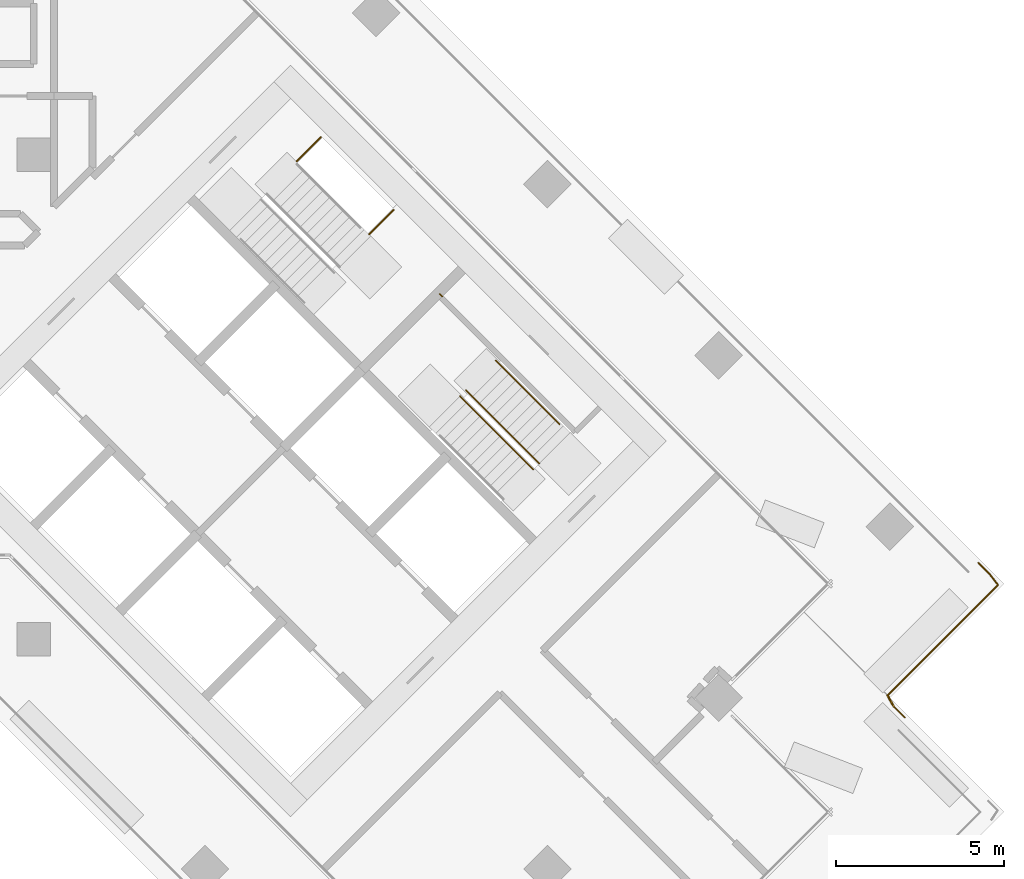
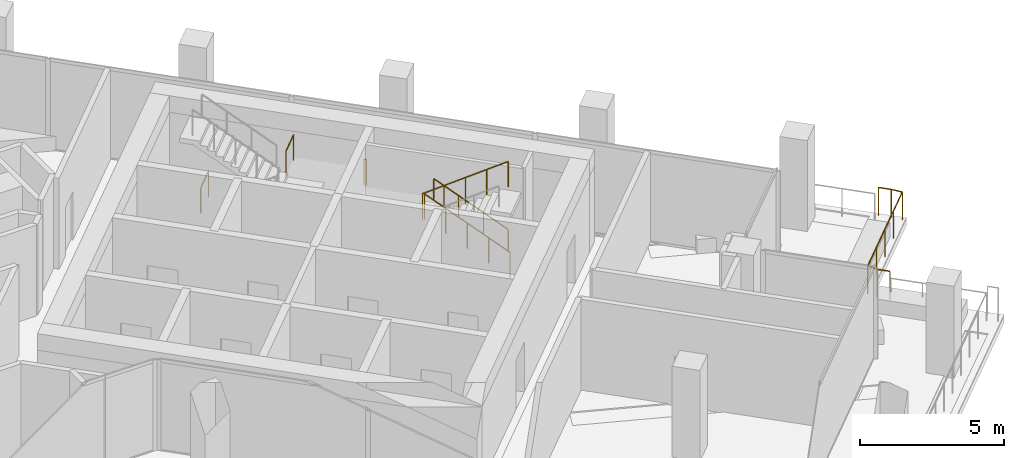
# One storey, part 20 of 21: 11 railings.
"""IFC4 building model written with IfcOpenShell, lengths in metres."""

import ifcopenshell
import ifcopenshell.guid

model = None  # the IFC model being written
_history = None  # IfcOwnerHistory: only IFC2X3 demands one
_inside = {}  # id of a spatial element -> (the spatial element, [elements in it])
_under = {}  # id of a project, library or spatial element -> (it, [spatial elements below it])
_declared = {}  # id of a project -> (the project, [libraries it declares])
_typed = {}  # id of a type object -> (the type object, [elements of that type])
_made_of = {}  # id of a material, layer set ... -> (it, [elements and type objects made of it])


def new_model(schema):
    """Start an empty IFC model of exactly this schema.

    Asked for "IFC4X3", IfcOpenShell would pick the latest addendum, in which some entities
    have other attributes; the version numbers below select the first issue.
    IFC2X3 requires an IfcOwnerHistory on every rooted entity: one is made here for all.
    """
    global model, _history
    if schema == "IFC4X3":
        model = ifcopenshell.file(schema_version=(4, 3, 0, 0))
    else:
        model = ifcopenshell.file(schema=schema)
    _inside.clear()
    _under.clear()
    _declared.clear()
    _typed.clear()
    _made_of.clear()
    _history = None
    if model.schema == "IFC2X3":
        org = make("IfcOrganization", Name="unknown")
        user = make(
            "IfcPersonAndOrganization",
            ThePerson=make("IfcPerson", FamilyName="unknown"),
            TheOrganization=org,
        )
        app = make(
            "IfcApplication",
            ApplicationDeveloper=org,
            Version="unknown",
            ApplicationFullName="unknown",
            ApplicationIdentifier="unknown",
        )
        _history = make(
            "IfcOwnerHistory",
            OwningUser=user,
            OwningApplication=app,
            ChangeAction="ADDED",
            CreationDate=0,
        )
    return model


def make(cls, **values):
    """One entity of the class cls with the attributes given. An attribute that is None is left unset."""
    return model.create_entity(
        cls, **{name: value for name, value in values.items() if value is not None}
    )


def rooted(cls, **values):
    """An entity with a GlobalId (a new one), such as an element, a storey or a relation."""
    return make(cls, GlobalId=ifcopenshell.guid.new(), OwnerHistory=_history, **values)


def si_unit(unit_type, name, prefix=None):
    """IfcSIUnit, for example si_unit("LENGTHUNIT", "METRE", prefix="MILLI")."""
    return make("IfcSIUnit", UnitType=unit_type, Prefix=prefix, Name=name)


def assignment(units):
    """IfcUnitAssignment: the units of a project."""
    return None if units is None else make("IfcUnitAssignment", Units=units)


def point(xyz):
    """IfcCartesianPoint."""
    return None if xyz is None else make("IfcCartesianPoint", Coordinates=xyz)


def direction(xyz):
    """IfcDirection."""
    return None if xyz is None else make("IfcDirection", DirectionRatios=xyz)


def frame(location, z_axis=None, x_axis=None):
    """IfcAxis2Placement3D, a coordinate frame: its origin and axes. An axis left out is left unset."""
    return make(
        "IfcAxis2Placement3D",
        Location=point(location),
        Axis=direction(z_axis),
        RefDirection=direction(x_axis),
    )


def frame_2d(location, x_axis=None):
    """IfcAxis2Placement2D, a coordinate frame in the plane: its origin and x axis."""
    return make(
        "IfcAxis2Placement2D", Location=point(location), RefDirection=direction(x_axis)
    )


def origin():
    """The frame at (0, 0, 0) with its axes left unset."""
    return frame((0.0, 0.0, 0.0))


def origin_2d():
    """The frame at (0, 0) in the plane with its x axis left unset."""
    return frame_2d((0.0, 0.0))


def place(relative_to, where):
    """IfcLocalPlacement: puts the frame where relative to a parent placement (None: the world)."""
    return make(
        "IfcLocalPlacement", PlacementRelTo=relative_to, RelativePlacement=where
    )


def context(
    kind, dimensions, precision=None, world=None, true_north=None, identifier=None
):
    """IfcGeometricRepresentationContext, for example the 3D "Model" context."""
    return make(
        "IfcGeometricRepresentationContext",
        ContextIdentifier=identifier,
        ContextType=kind,
        CoordinateSpaceDimension=dimensions,
        Precision=precision,
        WorldCoordinateSystem=world,
        TrueNorth=true_north,
    )


def subcontext(parent, identifier, kind, view, scale=None):
    """IfcGeometricRepresentationSubContext, for example "Body" below "Model"."""
    return make(
        "IfcGeometricRepresentationSubContext",
        ContextIdentifier=identifier,
        ContextType=kind,
        ParentContext=parent,
        TargetScale=scale,
        TargetView=view,
    )


def project(units=None, contexts=None):
    """IfcProject with its units and contexts."""
    return rooted(
        "IfcProject",
        Name="project",
        RepresentationContexts=contexts,
        UnitsInContext=assignment(units),
    )


def spatial(cls, under=None, at=None, **own):
    """A site, building, storey or space (cls), placed at a placement, below another one or the project."""
    s = rooted(cls, ObjectPlacement=at, **own)
    if under is not None:
        _under.setdefault(under.id(), (under, []))[1].append(s)
    return s


def profile(cls, at=None, kind="AREA", **sizes):
    """A parametric profile (cls). Its sizes go by their IFC names, for example OverallWidth=200.0."""
    return make(cls, ProfileType=kind, Position=at, **sizes)


def circle(**sizes):
    """IfcCircleProfileDef."""
    return profile("IfcCircleProfileDef", **sizes)


def extrude(swept, where, along, depth):
    """IfcExtrudedAreaSolid: the profile swept, set in the frame where, extruded along a direction by depth."""
    return make(
        "IfcExtrudedAreaSolid",
        SweptArea=swept,
        Position=where,
        ExtrudedDirection=direction(along),
        Depth=depth,
    )


def shape(context_of_items, identifier, shape_type, items):
    """IfcShapeRepresentation: the items that make up one representation, for example the "Body"."""
    return make(
        "IfcShapeRepresentation",
        ContextOfItems=context_of_items,
        RepresentationIdentifier=identifier,
        RepresentationType=shape_type,
        Items=items,
    )


def material(Name=None, Category=None):
    """IfcMaterial."""
    return make("IfcMaterial", Name=Name, Category=Category)


def made_of(thing, what):
    """Note that an element or type object is made of a material, layer set ...; save() writes the relation."""
    if what is not None:
        _made_of.setdefault(what.id(), (what, []))[1].append(thing)
    return thing


def type_object(cls, material=None, **own):
    """A type object (cls), such as IfcWallType, which elements share."""
    return made_of(rooted(cls, **own), material)


def element(
    cls,
    number,
    at=None,
    inside=None,
    cuts=None,
    type_object=None,
    material=None,
    context=None,
    identifier="Body",
    shape_type=None,
    held_by="IfcProductDefinitionShape",
    body=None,
    shapes=None,
    **own,
):
    """One element of the class cls, such as IfcWall. Its Tag is "e" and its number.

    at: its placement. inside: the storey or other place that contains it. cuts: it is an
    opening in that element (IfcRelVoidsElement). A single representation is given by context,
    identifier, shape_type and body (its items); several are given by shapes. held_by: the class
    of the entity that holds the representations. save() writes the other relations.
    """
    e = rooted(cls, Tag="e%d" % number, ObjectPlacement=at, **own)
    if body is not None:
        shapes = [shape(context, identifier, shape_type, body)]
    if shapes is not None:
        e.Representation = make(held_by, Representations=shapes)
    if inside is not None:
        _inside.setdefault(inside.id(), (inside, []))[1].append(e)
    if cuts is not None:
        rooted(
            "IfcRelVoidsElement", RelatingBuildingElement=cuts, RelatedOpeningElement=e
        )
    if type_object is not None:
        _typed.setdefault(type_object.id(), (type_object, []))[1].append(e)
    return made_of(e, material)


def aggregate(whole, parts):
    """IfcRelAggregates: a whole, such as a stair, and the parts it consists of."""
    return rooted("IfcRelAggregates", RelatingObject=whole, RelatedObjects=parts)


def save(model, path):
    """Write the relations noted so far, then the file.

    IfcRelAggregates (storeys below a building ...), IfcRelContainedInSpatialStructure (elements
    in a storey), IfcRelDefinesByType, IfcRelAssociatesMaterial and IfcRelDeclares: one each for
    every whole, place, type object, material and project.
    """
    for whole, parts in _under.values():
        aggregate(whole, parts)
    for where, things in _inside.values():
        rooted(
            "IfcRelContainedInSpatialStructure",
            RelatedElements=things,
            RelatingStructure=where,
        )
    for kind, things in _typed.values():
        rooted("IfcRelDefinesByType", RelatedObjects=things, RelatingType=kind)
    for what, things in _made_of.values():
        rooted("IfcRelAssociatesMaterial", RelatedObjects=things, RelatingMaterial=what)
    for by, libraries in _declared.values():
        rooted("IfcRelDeclares", RelatingContext=by, RelatedDefinitions=libraries)
    model.write(path)


model = new_model("IFC4")

# Units and contexts
model_context = context("Model", 3, precision=1e-05, world=origin(), true_north=direction((0.0, 1.0)))
body_context = subcontext(model_context, "Body", "Model", "MODEL_VIEW")
ifc_project = project(units=[si_unit("LENGTHUNIT", "METRE"), si_unit("AREAUNIT", "SQUARE_METRE"), si_unit("VOLUMEUNIT", "CUBIC_METRE"), si_unit("PLANEANGLEUNIT", "RADIAN"), si_unit("MASSUNIT", "GRAM", prefix="KILO")], contexts=[model_context])

# Site, building, storey
site_placement = place(None, origin())
site = spatial("IfcSite", under=ifc_project, at=site_placement, CompositionType="ELEMENT")
building_placement = place(site_placement, origin())
building = spatial("IfcBuilding", under=site, at=building_placement, Name="Windrow Commons", CompositionType="ELEMENT")
storey_placement = place(building_placement, frame((0.0, 0.0, 131.2)))
storey = spatial("IfcBuildingStorey", under=building, at=storey_placement, Name="L35", CompositionType="ELEMENT", Elevation=131.2)

# Railings
ifc_material_1 = material(Name="Steel S355", Category="steel")
railing_type_1 = type_object("IfcRailingType", Name="Core stair guard 1100", PredefinedType="GUARDRAIL", material=ifc_material_1)
railing_1_placement = place(storey_placement, frame((87.0135, 57.3982, 0.0)))
element("IfcRailing", 1, at=railing_1_placement, inside=storey, type_object=railing_type_1, Name="L35 ST-B1 stair guard 3", PredefinedType="GUARDRAIL", context=body_context, shape_type="SweptSolid", body=[
    extrude(circle(Radius=0.024, at=origin_2d()), frame((0.0, 0.0, 1.076), z_axis=(0.7070582378, 0.7071553212, 0.0), x_axis=(-0.7071553212, 0.7070582378, 0.0)), (0.0, 0.0, 1.0), 1.03),
    extrude(circle(Radius=0.021, at=origin_2d()), origin(), (0.0, 0.0, 1.0), 1.052),
    extrude(circle(Radius=0.021, at=origin_2d()), frame((0.7283, 0.7284, 0.0)), (0.0, 0.0, 1.0), 1.052),
])
railing_2_placement = place(storey_placement, frame((89.1773, 55.2345, 2.1)))
element("IfcRailing", 2, at=railing_2_placement, inside=storey, type_object=railing_type_1, Name="L35 ST-B1 stair guard 4", PredefinedType="GUARDRAIL", context=body_context, shape_type="SweptSolid", body=[
    extrude(circle(Radius=0.024, at=origin_2d()), frame((0.0, 0.0, 1.076), z_axis=(0.7071067812, 0.7071067812, 0.0), x_axis=(-0.7071067812, 0.7071067812, 0.0)), (0.0, 0.0, 1.0), 1.03),
    extrude(circle(Radius=0.021, at=origin_2d()), origin(), (0.0, 0.0, 1.0), 1.052),
    extrude(circle(Radius=0.021, at=origin_2d()), frame((0.7283, 0.7283, 0.0)), (0.0, 0.0, 1.0), 1.052),
])
railing_3_placement = place(storey_placement, frame((94.2296, 48.4215, 0.175)))
element("IfcRailing", 3, at=railing_3_placement, inside=storey, type_object=railing_type_1, Name="L35 ST-B2 stair guard 1", PredefinedType="GUARDRAIL", context=body_context, shape_type="SweptSolid", body=[
    extrude(circle(Radius=0.024, at=origin_2d()), frame((0.0, 0.0, 1.076), z_axis=(-0.5996262107, 0.5996262107, 0.5299969951), x_axis=(-0.7071067812, -0.7071067812, 0.0)), (0.0, 0.0, 1.0), 3.6321),
    extrude(circle(Radius=0.021, at=origin_2d()), origin(), (0.0, 0.0, 1.0), 1.052),
    extrude(circle(Radius=0.021, at=origin_2d()), frame((-0.5445, 0.5445, 0.4813)), (0.0, 0.0, 1.0), 1.052),
    extrude(circle(Radius=0.021, at=origin_2d()), frame((-1.089, 1.089, 0.9625)), (0.0, 0.0, 1.0), 1.052),
    extrude(circle(Radius=0.021, at=origin_2d()), frame((-1.6334, 1.6334, 1.4438)), (0.0, 0.0, 1.0), 1.052),
    extrude(circle(Radius=0.021, at=origin_2d()), frame((-2.1779, 2.1779, 1.925)), (0.0, 0.0, 1.0), 1.052),
])
railing_4_placement = place(storey_placement, frame((91.8749, 50.4226, 2.275)))
element("IfcRailing", 4, at=railing_4_placement, inside=storey, type_object=railing_type_1, Name="L35 ST-B2 stair guard 2", PredefinedType="GUARDRAIL", context=body_context, shape_type="SweptSolid", body=[
    extrude(circle(Radius=0.024, at=origin_2d()), frame((0.0, 0.0, 1.076), z_axis=(0.5996262107, -0.5996262107, 0.5299969951), x_axis=(0.7071067812, 0.7071067812, 0.0)), (0.0, 0.0, 1.0), 3.6321),
    extrude(circle(Radius=0.021, at=origin_2d()), origin(), (0.0, 0.0, 1.0), 1.052),
    extrude(circle(Radius=0.021, at=origin_2d()), frame((0.5445, -0.5445, 0.4813)), (0.0, 0.0, 1.0), 1.052),
    extrude(circle(Radius=0.021, at=origin_2d()), frame((1.089, -1.089, 0.9625)), (0.0, 0.0, 1.0), 1.052),
    extrude(circle(Radius=0.021, at=origin_2d()), frame((1.6334, -1.6334, 1.4438)), (0.0, 0.0, 1.0), 1.052),
    extrude(circle(Radius=0.021, at=origin_2d()), frame((2.1779, -2.1779, 1.925)), (0.0, 0.0, 1.0), 1.052),
])
railing_5_placement = place(storey_placement, frame((91.3446, 53.3854, 2.1)))
element("IfcRailing", 5, at=railing_5_placement, inside=storey, type_object=railing_type_1, Name="L35 ST-B2 stair guard 3", PredefinedType="GUARDRAIL", context=body_context, shape_type="SweptSolid", body=[
    extrude(circle(Radius=0.024, at=origin_2d()), frame((0.0, 0.0, 1.076), z_axis=(-0.7076063266, 0.7066068826, 0.0), x_axis=(-0.7066068826, -0.7076063266, 0.0)), (0.0, 0.0, 1.0), 0.1001),
    extrude(circle(Radius=0.021, at=origin_2d()), origin(), (0.0, 0.0, 1.0), 1.052),
    extrude(circle(Radius=0.021, at=origin_2d()), frame((-0.0708, 0.0707, 0.0)), (0.0, 0.0, 1.0), 1.052),
])
ifc_material_2 = material(Name="Steel S355", Category="steel")
railing_type_2 = type_object("IfcRailingType", Name="Core stair handrail 900", PredefinedType="HANDRAIL", material=ifc_material_2)
railing_6_placement = place(storey_placement, frame((94.8306, 49.5883, 0.425)))
element("IfcRailing", 6, at=railing_6_placement, inside=storey, type_object=railing_type_2, Name="L35 ST-B2 stair handrail 1", PredefinedType="HANDRAIL", context=body_context, shape_type="SweptSolid", body=[
    extrude(circle(Radius=0.024, at=origin_2d()), frame((0.0, 0.0, 0.876), z_axis=(-0.599641512, 0.5996098703, 0.5299981703), x_axis=(-0.7070881243, -0.7071254376, 0.0)), (0.0, 0.0, 1.0), 3.1604),
    extrude(circle(Radius=0.021, at=origin_2d()), origin(), (0.0, 0.0, 1.0), 0.852),
    extrude(circle(Radius=0.021, at=origin_2d()), frame((-0.6317, 0.6317, 0.5583)), (0.0, 0.0, 1.0), 0.852),
    extrude(circle(Radius=0.021, at=origin_2d()), frame((-1.2634, 1.2633, 1.1167)), (0.0, 0.0, 1.0), 0.852),
    extrude(circle(Radius=0.021, at=origin_2d()), frame((-1.8951, 1.895, 1.675)), (0.0, 0.0, 1.0), 0.852),
])
ifc_material_3 = material(Name="Stainless steel S316 balustrade with toughened glass infill", Category="steel")
railing_type_3 = type_object("IfcRailingType", Name="Terrace guard 1200 podium", PredefinedType="BALUSTRADE", material=ifc_material_3)
railing_7_placement = place(storey_placement, frame((107.2885, 45.4672, 0.05)))
element("IfcRailing", 7, at=railing_7_placement, inside=storey, type_object=railing_type_3, Name="Guard TR-L35-1.C152", PredefinedType="BALUSTRADE", context=body_context, shape_type="SweptSolid", body=[
    extrude(circle(Radius=0.025, at=origin_2d()), frame((0.0, 0.0, 1.175), z_axis=(0.7071067812, -0.7071067812, 0.0), x_axis=(0.7071067812, 0.7071067812, 0.0)), (0.0, 0.0, 1.0), 0.4647),
    extrude(circle(Radius=0.02, at=origin_2d()), origin(), (0.0, 0.0, 1.0), 1.15),
    extrude(circle(Radius=0.02, at=origin_2d()), frame((0.3286, -0.3286, 0.0)), (0.0, 0.0, 1.0), 1.15),
])
railing_8_placement = place(storey_placement, frame((107.6171, 45.1386, 0.05)))
element("IfcRailing", 8, at=railing_8_placement, inside=storey, type_object=railing_type_3, Name="Guard TR-L35-1.C153", PredefinedType="BALUSTRADE", context=body_context, shape_type="SweptSolid", body=[
    extrude(circle(Radius=0.025, at=origin_2d()), frame((0.0, 0.0, 1.175), z_axis=(0.6120227047, -0.7908401918, 0.0), x_axis=(0.7908401918, 0.6120227047, 0.0)), (0.0, 0.0, 1.0), 0.4155),
    extrude(circle(Radius=0.02, at=origin_2d()), origin(), (0.0, 0.0, 1.0), 1.15),
    extrude(circle(Radius=0.02, at=origin_2d()), frame((0.2543, -0.3286, 0.0)), (0.0, 0.0, 1.0), 1.15),
])
railing_9_placement = place(storey_placement, frame((107.8714, 44.81, 0.05)))
element("IfcRailing", 9, at=railing_9_placement, inside=storey, type_object=railing_type_3, Name="Guard TR-L35-1.C154", PredefinedType="BALUSTRADE", context=body_context, shape_type="SweptSolid", body=[
    extrude(circle(Radius=0.025, at=origin_2d()), frame((0.0, 0.0, 1.175), z_axis=(-0.7071175403, -0.7070960219, 0.0), x_axis=(0.7070960219, -0.7071175403, 0.0)), (0.0, 0.0, 1.0), 4.6472),
    extrude(circle(Radius=0.02, at=origin_2d()), origin(), (0.0, 0.0, 1.0), 1.15),
    extrude(circle(Radius=0.02, at=origin_2d()), frame((-0.8215, -0.8215, 0.0)), (0.0, 0.0, 1.0), 1.15),
    extrude(circle(Radius=0.02, at=origin_2d()), frame((-1.643, -1.643, 0.0)), (0.0, 0.0, 1.0), 1.15),
    extrude(circle(Radius=0.02, at=origin_2d()), frame((-2.4646, -2.4645, 0.0)), (0.0, 0.0, 1.0), 1.15),
    extrude(circle(Radius=0.02, at=origin_2d()), frame((-3.2861, -3.286, 0.0)), (0.0, 0.0, 1.0), 1.15),
])
railing_10_placement = place(storey_placement, frame((104.5853, 41.524, 0.05)))
element("IfcRailing", 10, at=railing_10_placement, inside=storey, type_object=railing_type_3, Name="Guard TR-L35-1.C155", PredefinedType="BALUSTRADE", context=body_context, shape_type="SweptSolid", body=[
    extrude(circle(Radius=0.025, at=origin_2d()), frame((0.0, 0.0, 1.175), z_axis=(0.4940003157, -0.8694617232, 0.0), x_axis=(0.8694617232, 0.4940003157, 0.0)), (0.0, 0.0, 1.0), 0.3779),
    extrude(circle(Radius=0.02, at=origin_2d()), origin(), (0.0, 0.0, 1.0), 1.15),
    extrude(circle(Radius=0.02, at=origin_2d()), frame((0.1867, -0.3286, 0.0)), (0.0, 0.0, 1.0), 1.15),
])
railing_11_placement = place(storey_placement, frame((104.772, 41.1954, 0.05)))
element("IfcRailing", 11, at=railing_11_placement, inside=storey, type_object=railing_type_3, Name="Guard TR-L35-1.C156", PredefinedType="BALUSTRADE", context=body_context, shape_type="SweptSolid", body=[
    extrude(circle(Radius=0.025, at=origin_2d()), frame((0.0, 0.0, 1.175), z_axis=(0.7071067812, -0.7071067812, 0.0), x_axis=(0.7071067812, 0.7071067812, 0.0)), (0.0, 0.0, 1.0), 0.4647),
    extrude(circle(Radius=0.02, at=origin_2d()), origin(), (0.0, 0.0, 1.0), 1.15),
    extrude(circle(Radius=0.02, at=origin_2d()), frame((0.3286, -0.3286, 0.0)), (0.0, 0.0, 1.0), 1.15),
])

save(model, "model.ifc")
